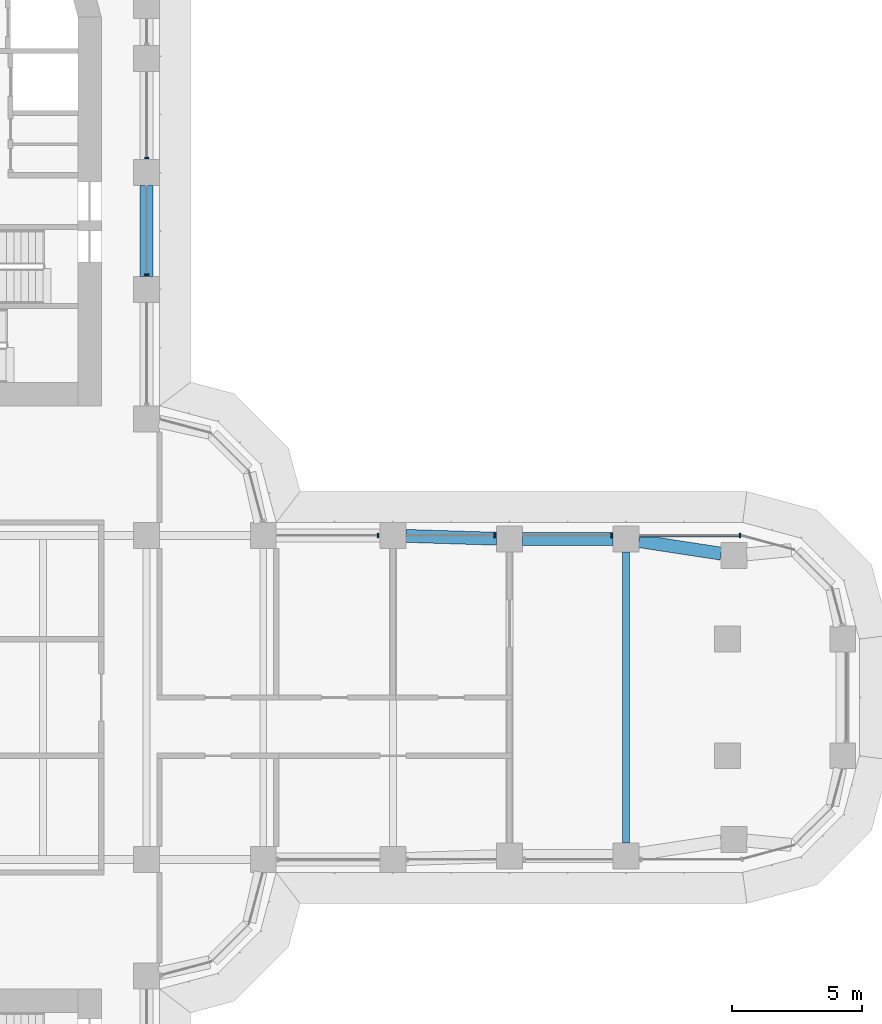
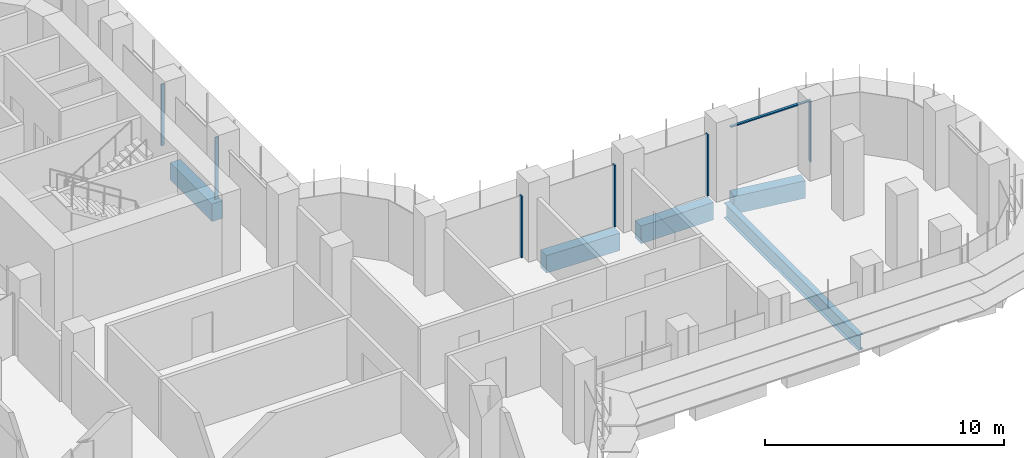
# One storey, part 9 of 23: 7 members, 5 beams, 2 elements without a shape of their own.
"""IFC4 building model written with IfcOpenShell, lengths in metres."""

from ifc_helpers import new_model, si_unit, direction, frame, origin, origin_2d, place, context, subcontext, project, spatial, polyline, rectangle, i_section, outline, extrude, source, transform, mapped, material, material_profile, profile_set, type_object, element, aggregate, save


model = new_model("IFC4")

# Units and contexts
model_context = context("Model", 3, precision=1e-05, world=origin(), true_north=direction((0.0, 1.0)))
body_context = subcontext(model_context, "Body", "Model", "MODEL_VIEW")
ifc_project = project(units=[si_unit("LENGTHUNIT", "METRE"), si_unit("AREAUNIT", "SQUARE_METRE"), si_unit("VOLUMEUNIT", "CUBIC_METRE"), si_unit("PLANEANGLEUNIT", "RADIAN"), si_unit("MASSUNIT", "GRAM", prefix="KILO")], contexts=[model_context])

# Site, building, storey
site_placement = place(None, origin())
site = spatial("IfcSite", under=ifc_project, at=site_placement, CompositionType="ELEMENT")
building_placement = place(site_placement, origin())
building = spatial("IfcBuilding", under=site, at=building_placement, Name="Zarbagh Exchange Tower", CompositionType="ELEMENT")
storey_placement = place(building_placement, frame((0.0, 0.0, 77.39990234375)))
storey = spatial("IfcBuildingStorey", under=building, at=storey_placement, Name="L17", CompositionType="ELEMENT", Elevation=77.39990234375)

# Beams
ifc_material_1 = material(Name="Steel ASTM A992 Gr 50", Category="steel")
ifc_material_profile_1 = material_profile(ifc_material_1, i_section(OverallWidth=0.2666015625, OverallDepth=0.76708984375, WebThickness=0.014892578125, FlangeThickness=0.023681640625, at=origin_2d()), Name="W30X124")
ifc_profile_set_1 = profile_set([ifc_material_profile_1], Name="Steel ASTM A992 Gr 50")
beam_type_1 = type_object("IfcBeamType", Name="Floor beam W30X124", PredefinedType="BEAM", material=ifc_profile_set_1)
beam_1_placement = place(storey_placement, frame((24.75, -5.610107421875, -0.533447265625), z_axis=(0.0, 1.0, 0.0), x_axis=(-1.0, 0.0, 0.0)))
element("IfcBeam", 1, at=beam_1_placement, inside=storey, type_object=beam_type_1, Name="Steel floor beam", PredefinedType="BEAM", context=body_context, shape_type="SweptSolid", body=[
    extrude(i_section(OverallWidth=0.2666015625, OverallDepth=0.76708984375, WebThickness=0.014892578125, FlangeThickness=0.023681640625, at=origin_2d()), origin(), (0.0, 0.0, 1.0), 11.22021484375),
])
ifc_material_2 = material(Name="Concrete C60/75", Category="concrete")
ifc_material_profile_2 = material_profile(ifc_material_2, rectangle(XDim=0.5, YDim=0.89990234375, at=origin_2d()), Name="RC spandrel beam 500 x 900 C60/75")
ifc_profile_set_2 = profile_set([ifc_material_profile_2], Name="Concrete C60/75")
beam_type_2 = type_object("IfcBeamType", Name="RC spandrel beam 500 x 900 C60/75", PredefinedType="SPANDREL", material=ifc_profile_set_2)
beam_2_placement = place(storey_placement, frame((6.25, 19.75, -0.599853515625), z_axis=(0.0, -1.0, 0.0), x_axis=(1.0, 0.0, 0.0)))
element("IfcBeam", 2, at=beam_2_placement, inside=storey, type_object=beam_type_2, Name="RC spandrel beam", PredefinedType="SPANDREL", context=body_context, shape_type="SweptSolid", body=[
    extrude(rectangle(XDim=0.5, YDim=0.89990234375, at=origin_2d()), origin(), (0.0, 0.0, 1.0), 3.5),
])
beam_3_placement = place(storey_placement, frame((16.249755859375, 6.234619140625, -0.599853515625), z_axis=(0.999514385708, -0.031160756759, 0.0), x_axis=(0.031160756759, 0.999514385708, 0.0)))
element("IfcBeam", 3, at=beam_3_placement, inside=storey, type_object=beam_type_2, Name="RC spandrel beam", PredefinedType="SPANDREL", context=body_context, shape_type="SweptSolid", body=[
    extrude(rectangle(XDim=0.5, YDim=0.89990234375, at=origin_2d()), origin(), (0.0, 0.0, 1.0), 3.502197265625),
])
beam_4_placement = place(storey_placement, frame((20.75, 6.110107421875, -0.599853515625), z_axis=(1.0, 0.0, 0.0), x_axis=(0.0, 1.0, 0.0)))
element("IfcBeam", 4, at=beam_4_placement, inside=storey, type_object=beam_type_2, Name="RC spandrel beam", PredefinedType="SPANDREL", context=body_context, shape_type="SweptSolid", body=[
    extrude(rectangle(XDim=0.5, YDim=0.89990234375, at=origin_2d()), origin(), (0.0, 0.0, 1.0), 3.5),
])
beam_5_placement = place(storey_placement, frame((25.244384765625, 6.034423828125, -0.599853515625), z_axis=(0.988545350976, -0.150924116903, 0.0), x_axis=(0.150924116903, 0.988545350976, 0.0)))
element("IfcBeam", 5, at=beam_5_placement, inside=storey, type_object=beam_type_2, Name="RC spandrel beam", PredefinedType="SPANDREL", context=body_context, shape_type="SweptSolid", body=[
    extrude(rectangle(XDim=0.5, YDim=0.89990234375, at=origin_2d()), origin(), (0.0, 0.0, 1.0), 3.2060546875),
])

# Curtain wall, members
ifc_material_3 = material(Name="Anodised aluminium frame and glazing", Category="aluminium")
curtain_wall_type = type_object("IfcCurtainWallType", Name="CWA Ribbon glazing, lower zones", PredefinedType="NOTDEFINED", material=ifc_material_3)
curtain_wall_1_placement = place(storey_placement, origin())
curtain_wall_1 = element("IfcCurtainWall", 6, at=curtain_wall_1_placement, inside=storey, type_object=curtain_wall_type, Name="CWA16 curtain wall", PredefinedType="NOTDEFINED")
ifc_material_4 = material(Name="Anodised aluminium frame", Category="aluminium")
member_type_1 = type_object("IfcMemberType", Name="MUA Mullion, anodised aluminium frame", PredefinedType="MULLION", material=ifc_material_4)
shared_shape_1 = source(origin(), body_context, "Body", "SweptSolid", [
    extrude(outline(polyline([(0.0, -0.080078125), (0.06005859375, -0.080078125), (0.06005859375, 0.080078125), (0.0, 0.080078125), (0.0, -0.080078125)])), origin(), (0.0, 0.0, 1.0), 3.14990234375),
])
placement = place(storey_placement, origin())
member_1 = element("IfcMember", 7, at=placement, type_object=member_type_1, Name="CWA16 mullion 1.1", PredefinedType="MULLION", context=body_context, shape_type="MappedRepresentation", body=[
    mapped(shared_shape_1, transform((29.18408203125, 6.25, 0.0), x_axis=(-1.0, 0.0, 0.0), y_axis=(0.0, -1.0, 0.0), z_axis=(0.0, 0.0, 1.0))),
])
member_2 = element("IfcMember", 8, at=placement, type_object=member_type_1, Name="CWA16 mullion 2.1", PredefinedType="MULLION", context=body_context, shape_type="MappedRepresentation", body=[
    mapped(shared_shape_1, transform((24.2099609375, 6.25, 0.0), x_axis=(-1.0, 0.0, 0.0), y_axis=(0.0, -1.0, 0.0), z_axis=(0.0, 0.0, 1.0))),
])
member_3 = element("IfcMember", 9, at=placement, type_object=member_type_1, Name="CWA16 mullion 3.1", PredefinedType="MULLION", context=body_context, shape_type="MappedRepresentation", body=[
    mapped(shared_shape_1, transform((19.7099609375, 6.25, 0.0), x_axis=(-1.0, 0.0, 0.0), y_axis=(0.0, -1.0, 0.0), z_axis=(0.0, 0.0, 1.0))),
])
member_4 = element("IfcMember", 10, at=placement, type_object=member_type_1, Name="CWA16 mullion 4.1", PredefinedType="MULLION", context=body_context, shape_type="MappedRepresentation", body=[
    mapped(shared_shape_1, transform((15.2099609375, 6.25, 0.0), x_axis=(-1.0, 0.0, 0.0), y_axis=(0.0, -1.0, 0.0), z_axis=(0.0, 0.0, 1.0))),
])

curtain_wall_2_placement = place(storey_placement, origin())
curtain_wall_2 = element("IfcCurtainWall", 11, at=curtain_wall_2_placement, inside=storey, type_object=curtain_wall_type, Name="CWA20 curtain wall", PredefinedType="NOTDEFINED")
member_5 = element("IfcMember", 12, at=placement, type_object=member_type_1, Name="CWA20 mullion 2.1", PredefinedType="MULLION", context=body_context, shape_type="MappedRepresentation", body=[
    mapped(shared_shape_1, transform((6.25, 16.2900390625, 0.0), x_axis=(0.0, 1.0, 0.0), y_axis=(-1.0, 0.0, 0.0), z_axis=(0.0, 0.0, 1.0))),
])
member_6 = element("IfcMember", 13, at=placement, type_object=member_type_1, Name="CWA20 mullion 3.1", PredefinedType="MULLION", context=body_context, shape_type="MappedRepresentation", body=[
    mapped(shared_shape_1, transform((6.25, 20.7900390625, 0.0), x_axis=(0.0, 1.0, 0.0), y_axis=(-1.0, 0.0, 0.0), z_axis=(0.0, 0.0, 1.0))),
])
aggregate(curtain_wall_2, [member_5, member_6])

# Member
member_type_2 = type_object("IfcMemberType", Name="TRA Transom, anodised aluminium frame", PredefinedType="USERDEFINED", material=ifc_material_4)
shared_shape_2 = source(origin(), body_context, "Body", "SweptSolid", [
    extrude(outline(polyline([(-0.06005859375, -0.06005859375), (0.0, -0.06005859375), (0.0, 0.06005859375), (-0.06005859375, 0.06005859375), (-0.06005859375, -0.06005859375)])), origin(), (0.0, 0.0, 1.0), 3.834228515625),
])
member_7 = element("IfcMember", 14, at=placement, type_object=member_type_2, Name="CWA16 transom 1.1", ObjectType="TRANSOM", PredefinedType="USERDEFINED", context=body_context, shape_type="MappedRepresentation", body=[
    mapped(shared_shape_2, transform((29.124267578125, 6.25, 3.150146484375), x_axis=(0.0, 0.0, 1.0), y_axis=(0.0, 1.0, 0.0), z_axis=(-1.0, 0.0, 0.0))),
])

aggregate(curtain_wall_1, [member_1, member_7, member_2, member_3, member_4])

save(model, "model.ifc")
